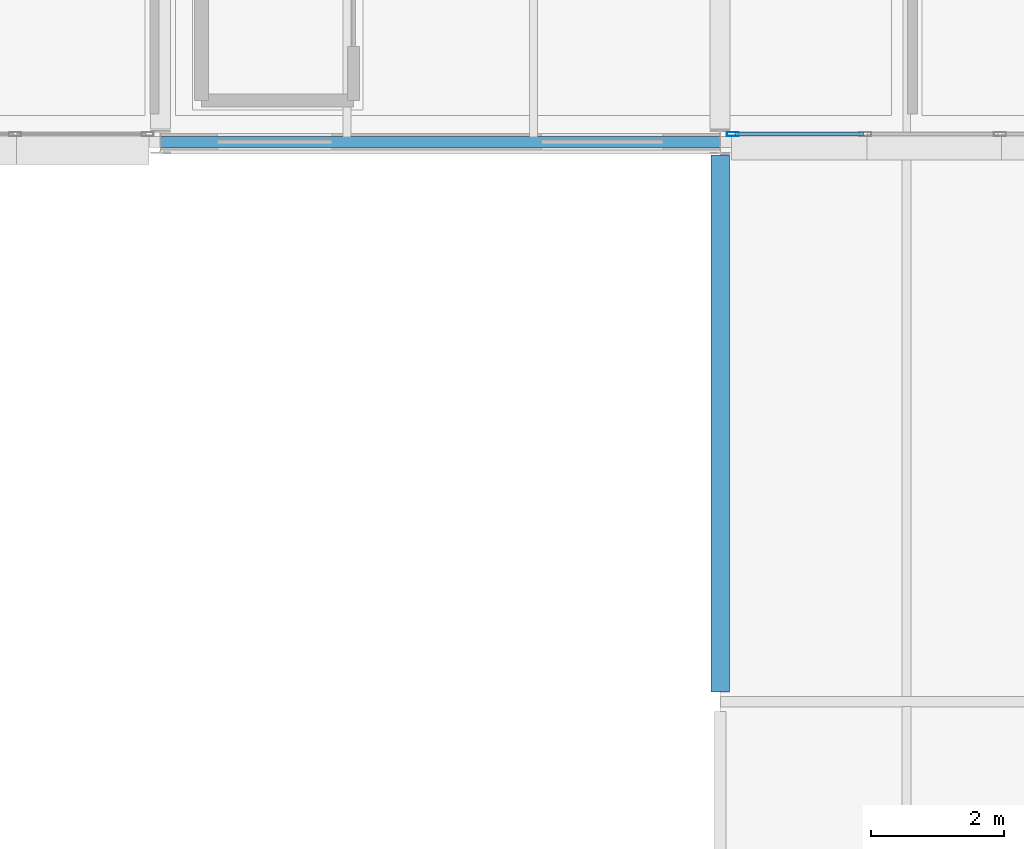
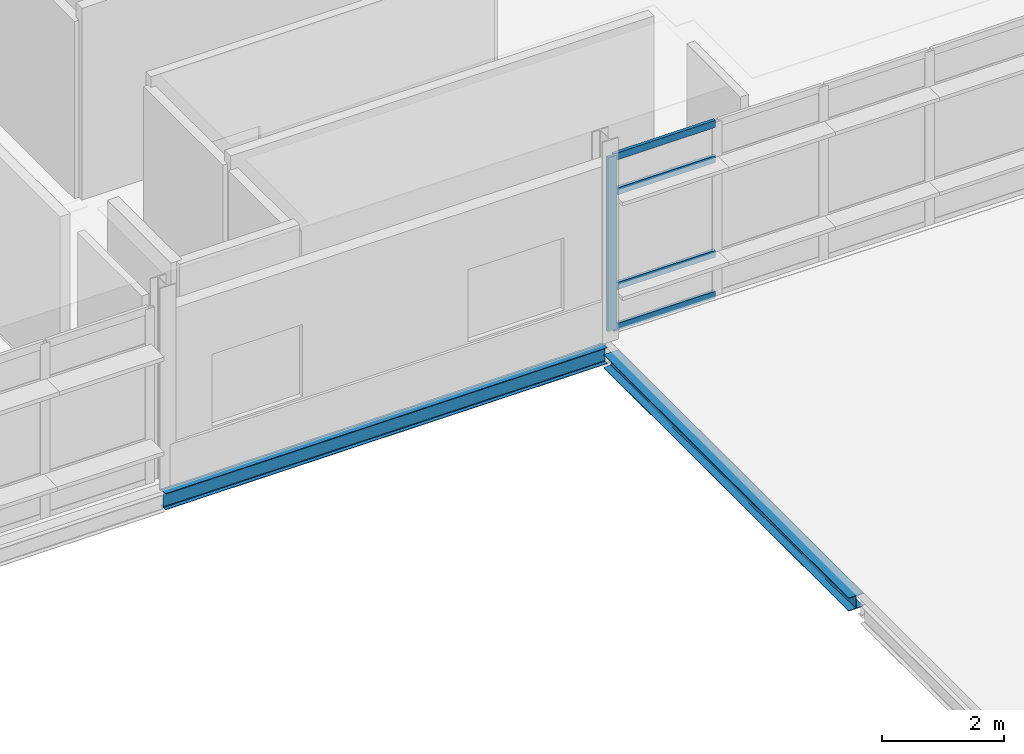
# One storey, part 13 of 57: 5 members, 2 beams, 1 element without a shape of its own.
"""IFC4 building model written with IfcOpenShell, lengths in metres."""

from ifc_helpers import new_model, si_unit, direction, frame, origin, origin_2d, place, context, subcontext, project, spatial, hollow_rectangle, i_section, extrude, material, material_profile, profile_set, type_object, element, aggregate, save


model = new_model("IFC4")

# Units and contexts
model_context = context("Model", 3, precision=1e-05, world=origin(), true_north=direction((0.0, 1.0)))
body_context = subcontext(model_context, "Body", "Model", "MODEL_VIEW")
ifc_project = project(units=[si_unit("LENGTHUNIT", "METRE"), si_unit("AREAUNIT", "SQUARE_METRE"), si_unit("VOLUMEUNIT", "CUBIC_METRE"), si_unit("PLANEANGLEUNIT", "RADIAN"), si_unit("MASSUNIT", "GRAM", prefix="KILO")], contexts=[model_context])

# Site, building, storey
site_placement = place(None, origin())
site = spatial("IfcSite", under=ifc_project, at=site_placement, CompositionType="ELEMENT")
building_placement = place(site_placement, origin())
building = spatial("IfcBuilding", under=site, at=building_placement, Name="Mersafa Astral City Hall", CompositionType="ELEMENT")
storey_placement = place(building_placement, frame((0.0, 0.0, 26.10009765625)))
storey = spatial("IfcBuildingStorey", under=building, at=storey_placement, Name="L06", CompositionType="ELEMENT", Elevation=26.10009765625)

# Curtain wall, members
ifc_material_1 = material(Name="Anodised bronze aluminium framing", Category="aluminium")
curtain_wall_type = type_object("IfcCurtainWallType", Name="ENV-CW-2", PredefinedType="USERDEFINED", material=ifc_material_1)
curtain_wall_placement = place(storey_placement, origin())
curtain_wall = element("IfcCurtainWall", 1, at=curtain_wall_placement, inside=storey, type_object=curtain_wall_type, Name="L06 Unitised solar curtain wall 253", ObjectType="UNITISED CURTAIN WALL", PredefinedType="USERDEFINED")
ifc_material_profile_1 = material_profile(ifc_material_1, hollow_rectangle(XDim=0.06005859375, YDim=0.179931640625, WallThickness=0.00390625, at=origin_2d()), Name="RHS 60x180x4")
ifc_profile_set_1 = profile_set([ifc_material_profile_1], Name="Anodised bronze aluminium framing")
member_type_1 = type_object("IfcMemberType", Name="ENV-CW-MUL-1", PredefinedType="MULLION", material=ifc_profile_set_1)
member_1_placement = place(storey_placement, frame((168.19189453125, 100.919921875, -0.002197265625), z_axis=(0.0, 0.0, 1.0), x_axis=(0.0, 1.0, 0.0)))
member_1 = element("IfcMember", 2, at=member_1_placement, type_object=member_type_1, Name="CW-2 mullion 1", PredefinedType="MULLION", context=body_context, shape_type="SweptSolid", body=[
    extrude(hollow_rectangle(XDim=0.06005859375, YDim=0.179931640625, WallThickness=0.00390625, at=origin_2d()), origin(), (0.0, 0.0, 1.0), 3.489013671875),
])
ifc_material_profile_2 = material_profile(ifc_material_1, hollow_rectangle(XDim=0.06005859375, YDim=0.139892578125, WallThickness=0.00390625, at=origin_2d()), Name="RHS 60x140x4")
ifc_profile_set_2 = profile_set([ifc_material_profile_2], Name="Anodised bronze aluminium framing")
member_type_2 = type_object("IfcMemberType", Name="ENV-CW-TRN-1", PredefinedType="USERDEFINED", material=ifc_profile_set_2)
member_2_placement = place(storey_placement, frame((168.221923828125, 100.919921875, 0.02783203125), z_axis=(1.0, 0.0, 0.0), x_axis=(0.0, 1.0, 0.0)))
member_2 = element("IfcMember", 3, at=member_2_placement, type_object=member_type_2, Name="CW-2 transom 1.1", ObjectType="TRANSOM", PredefinedType="USERDEFINED", context=body_context, shape_type="SweptSolid", body=[
    extrude(hollow_rectangle(XDim=0.06005859375, YDim=0.139892578125, WallThickness=0.00390625, at=origin_2d()), origin(), (0.0, 0.0, 1.0), 1.928955078125),
])
member_3_placement = place(storey_placement, frame((168.221923828125, 100.919921875, 0.849853515625), z_axis=(1.0, 0.0, 0.0), x_axis=(0.0, 1.0, 0.0)))
member_3 = element("IfcMember", 4, at=member_3_placement, type_object=member_type_2, Name="CW-2 transom 1.2", ObjectType="TRANSOM", PredefinedType="USERDEFINED", context=body_context, shape_type="SweptSolid", body=[
    extrude(hollow_rectangle(XDim=0.06005859375, YDim=0.139892578125, WallThickness=0.00390625, at=origin_2d()), origin(), (0.0, 0.0, 1.0), 1.928955078125),
])
member_4_placement = place(storey_placement, frame((168.221923828125, 100.919921875, 2.75), z_axis=(1.0, 0.0, 0.0), x_axis=(0.0, 1.0, 0.0)))
member_4 = element("IfcMember", 5, at=member_4_placement, type_object=member_type_2, Name="CW-2 transom 1.3", ObjectType="TRANSOM", PredefinedType="USERDEFINED", context=body_context, shape_type="SweptSolid", body=[
    extrude(hollow_rectangle(XDim=0.06005859375, YDim=0.139892578125, WallThickness=0.00390625, at=origin_2d()), origin(), (0.0, 0.0, 1.0), 1.928955078125),
])
member_5_placement = place(storey_placement, frame((168.221923828125, 100.919921875, 3.456787109375), z_axis=(1.0, 0.0, 0.0), x_axis=(0.0, 1.0, 0.0)))
member_5 = element("IfcMember", 6, at=member_5_placement, type_object=member_type_2, Name="CW-2 transom 1.4", ObjectType="TRANSOM", PredefinedType="USERDEFINED", context=body_context, shape_type="SweptSolid", body=[
    extrude(hollow_rectangle(XDim=0.06005859375, YDim=0.139892578125, WallThickness=0.00390625, at=origin_2d()), origin(), (0.0, 0.0, 1.0), 1.928955078125),
])
aggregate(curtain_wall, [member_1, member_2, member_3, member_4, member_5])

# Beams
ifc_material_2 = material(Name="Steel S355", Category="steel")
ifc_material_profile_3 = material_profile(ifc_material_2, i_section(OverallWidth=0.280029296875, OverallDepth=0.27001953125, WebThickness=0.008056640625, FlangeThickness=0.012939453125, FilletRadius=0.02392578125, at=origin_2d()), Name="HEA 280")
ifc_profile_set_3 = profile_set([ifc_material_profile_3], Name="Steel S355")
beam_type_1 = type_object("IfcBeamType", Name="STR-BM-SPANDREL-HEA280", PredefinedType="SPANDREL", material=ifc_profile_set_3)
beam_1_placement = place(storey_placement, frame((168.0, 92.544921875, -0.335205078125), z_axis=(0.0, 1.0, 0.0), x_axis=(-1.0, 0.0, 0.0)))
element("IfcBeam", 7, at=beam_1_placement, inside=storey, type_object=beam_type_1, Name="L06 Primary girder Y 20-11", PredefinedType="SPANDREL", context=body_context, shape_type="SweptSolid", body=[
    extrude(i_section(OverallWidth=0.280029296875, OverallDepth=0.27001953125, WebThickness=0.008056640625, FlangeThickness=0.012939453125, FilletRadius=0.02392578125, at=origin_2d()), origin(), (0.0, 0.0, 1.0), 8.06005859375),
])
ifc_material_profile_4 = material_profile(ifc_material_2, i_section(OverallWidth=0.159912109375, OverallDepth=0.330078125, WebThickness=0.007568359375, FlangeThickness=0.011474609375, FilletRadius=0.01806640625, at=origin_2d()), Name="IPE 330")
ifc_profile_set_4 = profile_set([ifc_material_profile_4], Name="Steel S355")
beam_type_2 = type_object("IfcBeamType", Name="STR-BM-SPANDREL-IPE330", PredefinedType="SPANDREL", material=ifc_profile_set_4)
beam_2_placement = place(storey_placement, frame((159.60302734375, 100.800048828125, -0.340087890625), z_axis=(1.0, 0.0, 0.0), x_axis=(0.0, 1.0, 0.0)))
element("IfcBeam", 8, at=beam_2_placement, inside=storey, type_object=beam_type_2, Name="L06 Primary girder X 19-12", PredefinedType="SPANDREL", context=body_context, shape_type="SweptSolid", body=[
    extrude(i_section(OverallWidth=0.159912109375, OverallDepth=0.330078125, WebThickness=0.007568359375, FlangeThickness=0.011474609375, FilletRadius=0.01806640625, at=origin_2d()), origin(), (0.0, 0.0, 1.0), 8.39404296875),
])

save(model, "model.ifc")
